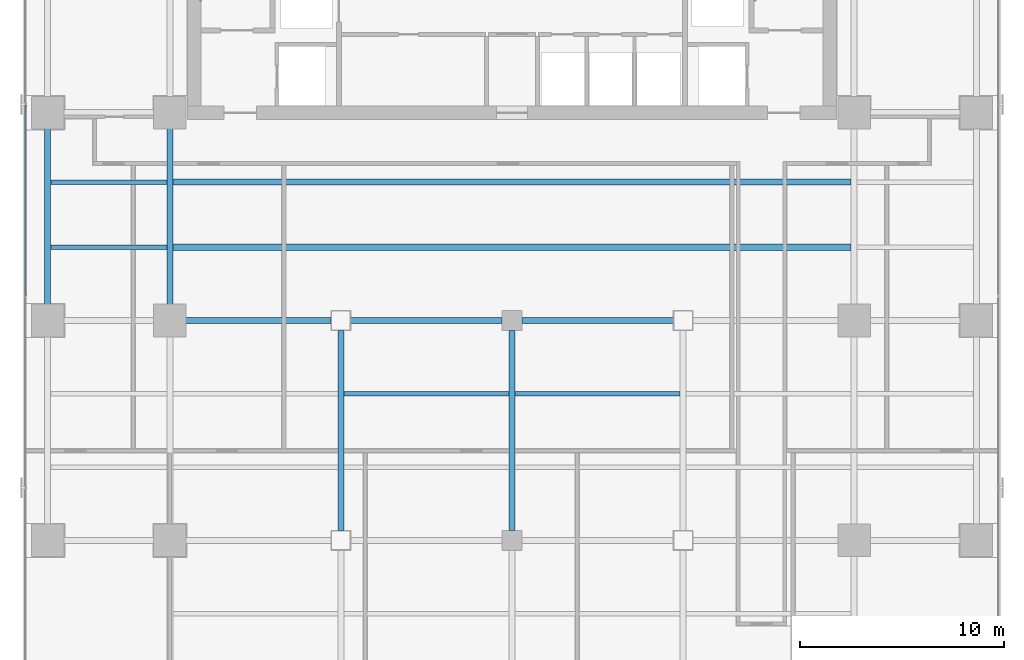
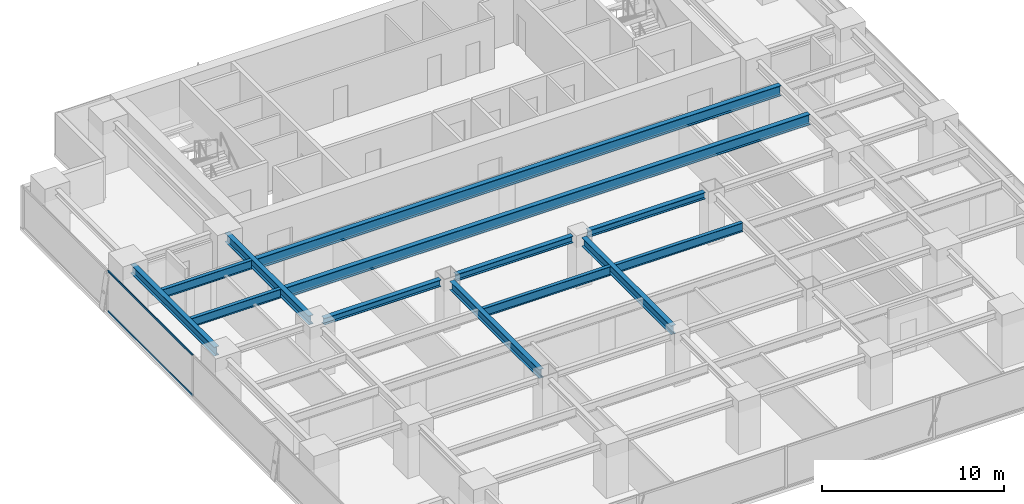
# One storey, part 8 of 28: 13 beams, 2 members, 1 element without a shape of its own.
"""IFC4 building model written with IfcOpenShell, lengths in metres."""

from ifc_helpers import new_model, si_unit, direction, frame, origin, origin_2d, place, context, subcontext, project, spatial, hollow_rectangle, i_section, extrude, source, transform, mapped, material, layer, layer_set, material_profile, profile_set, type_object, element, aggregate, save


model = new_model("IFC4")

# Units and contexts
model_context = context("Model", 3, precision=1e-05, world=origin(), true_north=direction((0.0, 1.0)))
body_context = subcontext(model_context, "Body", "Model", "MODEL_VIEW")
ifc_project = project(units=[si_unit("LENGTHUNIT", "METRE"), si_unit("AREAUNIT", "SQUARE_METRE"), si_unit("VOLUMEUNIT", "CUBIC_METRE"), si_unit("PLANEANGLEUNIT", "RADIAN"), si_unit("MASSUNIT", "GRAM", prefix="KILO")], contexts=[model_context])

# Site, building, storey
site_placement = place(None, origin())
site = spatial("IfcSite", under=ifc_project, at=site_placement, CompositionType="ELEMENT")
building_placement = place(site_placement, origin())
building = spatial("IfcBuilding", under=site, at=building_placement, Name="Sumidabori Civic Tower", CompositionType="ELEMENT")
storey_placement = place(building_placement, frame((0.0, 0.0, 174.800048828125)))
storey = spatial("IfcBuildingStorey", under=building, at=storey_placement, Name="L45", CompositionType="ELEMENT", Elevation=174.800048828125)

# Beams
ifc_material_1 = material(Name="Steel SN490", Category="steel")
ifc_material_profile_1 = material_profile(ifc_material_1, i_section(OverallWidth=0.300048828125, OverallDepth=0.60009765625, WebThickness=0.015380859375, FlangeThickness=0.030029296875, at=origin_2d()), Name="HE 600 B")
ifc_profile_set_1 = profile_set([ifc_material_profile_1], Name="Steel SN490")
beam_type_1 = type_object("IfcBeamType", Name="BM-GIRD-600", PredefinedType="BEAM", material=ifc_profile_set_1)
shared_shape_1 = source(origin(), body_context, "Body", "SweptSolid", [
    extrude(i_section(OverallWidth=0.300048828125, OverallDepth=0.60009765625, WebThickness=0.015380859375, FlangeThickness=0.030029296875, at=origin_2d()), origin(), (0.0, 0.0, 1.0), 9.840087890625),
])
for number, where, z_axis, x_axis, name in (
    (1, (-8.39990234375, -10.320068359375, 3.079833984375), (0.0, 1.0, 0.0), (-1.0, 0.0, 0.0), "Primary Girder L45 GY-27"),
    (2, (0.0, -10.320068359375, 3.079833984375), (0.0, 1.0, 0.0), (-1.0, 0.0, 0.0), "Primary Girder L45 GY-29"),
):
    element("IfcBeam", number, at=place(storey_placement, frame(where, z_axis=z_axis, x_axis=x_axis)), inside=storey, type_object=beam_type_1, Name=name, PredefinedType="BEAM", context=body_context, shape_type="MappedRepresentation", body=[
        mapped(shared_shape_1, transform((0.0, 0.0, 0.0), x_axis=(1.0, 0.0, 0.0), y_axis=(0.0, 1.0, 0.0), z_axis=(0.0, 0.0, 1.0), scale=1.0)),
    ])
shared_shape_2 = source(origin(), body_context, "Body", "SweptSolid", [
    extrude(i_section(OverallWidth=0.300048828125, OverallDepth=0.60009765625, WebThickness=0.015380859375, FlangeThickness=0.030029296875, at=origin_2d()), origin(), (0.0, 0.0, 1.0), 9.239990234375),
])
for number, where, z_axis, x_axis, name in (
    (3, (-22.800048828125, 0.47998046875, 3.079833984375), (0.0, 1.0, 0.0), (-1.0, 0.0, 0.0), "Primary Girder L45 GY-20"),
    (4, (-16.800048828125, 0.47998046875, 3.079833984375), (0.0, 1.0, 0.0), (-1.0, 0.0, 0.0), "Primary Girder L45 GY-24"),
):
    element("IfcBeam", number, at=place(storey_placement, frame(where, z_axis=z_axis, x_axis=x_axis)), inside=storey, type_object=beam_type_1, Name=name, PredefinedType="BEAM", context=body_context, shape_type="MappedRepresentation", body=[
        mapped(shared_shape_2, transform((0.0, 0.0, 0.0), x_axis=(1.0, 0.0, 0.0), y_axis=(0.0, 1.0, 0.0), z_axis=(0.0, 0.0, 1.0), scale=1.0)),
    ])
ifc_material_profile_2 = material_profile(ifc_material_1, i_section(OverallWidth=0.300048828125, OverallDepth=0.699951171875, WebThickness=0.01708984375, FlangeThickness=0.031982421875, at=origin_2d()), Name="HE 700 B")
ifc_profile_set_2 = profile_set([ifc_material_profile_2], Name="Steel SN490")
beam_type_2 = type_object("IfcBeamType", Name="BM-GIRD-700", PredefinedType="BEAM", material=ifc_profile_set_2)
shared_shape_3 = source(origin(), body_context, "Body", "SweptSolid", [
    extrude(i_section(OverallWidth=0.300048828125, OverallDepth=0.699951171875, WebThickness=0.01708984375, FlangeThickness=0.031982421875, at=origin_2d()), origin(), (0.0, 0.0, 1.0), 33.2998046875),
])
for number, where, z_axis, x_axis, name in (
    (5, (-16.64990234375, 3.60009765625, 3.030029296875), (1.0, 0.0, 0.0), (0.0, 1.0, 0.0), "North Bay Floor Beam L45 JSTN-47"),
    (6, (-16.64990234375, 6.800048828125, 3.030029296875), (1.0, 0.0, 0.0), (0.0, 1.0, 0.0), "North Bay Floor Beam L45 JSTN-48"),
):
    element("IfcBeam", number, at=place(storey_placement, frame(where, z_axis=z_axis, x_axis=x_axis)), inside=storey, type_object=beam_type_2, Name=name, PredefinedType="BEAM", context=body_context, shape_type="MappedRepresentation", body=[
        mapped(shared_shape_3, transform((0.0, 0.0, 0.0), x_axis=(1.0, 0.0, 0.0), y_axis=(0.0, 1.0, 0.0), z_axis=(0.0, 0.0, 1.0), scale=1.0)),
    ])
ifc_material_profile_3 = material_profile(ifc_material_1, i_section(OverallWidth=0.219970703125, OverallDepth=0.60009765625, WebThickness=0.011962890625, FlangeThickness=0.01904296875, at=origin_2d()), Name="IPE 600")
ifc_profile_set_3 = profile_set([ifc_material_profile_3], Name="Steel SN490")
beam_type_3 = type_object("IfcBeamType", Name="BM-JST-600", PredefinedType="JOIST", material=ifc_profile_set_3)
shared_shape_4 = source(origin(), body_context, "Body", "SweptSolid", [
    extrude(i_section(OverallWidth=0.219970703125, OverallDepth=0.60009765625, WebThickness=0.011962890625, FlangeThickness=0.01904296875, at=origin_2d()), origin(), (0.0, 0.0, 1.0), 5.699951171875),
])
for number, where, z_axis, x_axis, name in (
    (7, (-22.64990234375, 3.60009765625, 3.079833984375), (1.0, 0.0, 0.0), (0.0, 1.0, 0.0), "Outer Bay Floor Joist L45 JSTO-43"),
    (8, (-22.64990234375, 6.800048828125, 3.079833984375), (1.0, 0.0, 0.0), (0.0, 1.0, 0.0), "Outer Bay Floor Joist L45 JSTO-45"),
):
    element("IfcBeam", number, at=place(storey_placement, frame(where, z_axis=z_axis, x_axis=x_axis)), inside=storey, type_object=beam_type_3, Name=name, PredefinedType="JOIST", context=body_context, shape_type="MappedRepresentation", body=[
        mapped(shared_shape_4, transform((0.0, 0.0, 0.0), x_axis=(1.0, 0.0, 0.0), y_axis=(0.0, 1.0, 0.0), z_axis=(0.0, 0.0, 1.0), scale=1.0)),
    ])
shared_shape_5 = source(origin(), body_context, "Body", "SweptSolid", [
    extrude(i_section(OverallWidth=0.219970703125, OverallDepth=0.60009765625, WebThickness=0.011962890625, FlangeThickness=0.01904296875, at=origin_2d()), origin(), (0.0, 0.0, 1.0), 8.10009765625),
])
for number, where, z_axis, x_axis, name in (
    (9, (-8.25, -3.60009765625, 3.079833984375), (1.0, 0.0, 0.0), (0.0, 1.0, 0.0), "South Bay Floor Joist L45 JSTS-58"),
    (10, (0.14990234375, -3.60009765625, 3.079833984375), (1.0, 0.0, 0.0), (0.0, 1.0, 0.0), "South Bay Floor Joist L45 JSTS-59"),
):
    element("IfcBeam", number, at=place(storey_placement, frame(where, z_axis=z_axis, x_axis=x_axis)), inside=storey, type_object=beam_type_3, Name=name, PredefinedType="JOIST", context=body_context, shape_type="MappedRepresentation", body=[
        mapped(shared_shape_5, transform((0.0, 0.0, 0.0), x_axis=(1.0, 0.0, 0.0), y_axis=(0.0, 1.0, 0.0), z_axis=(0.0, 0.0, 1.0), scale=1.0)),
    ])
ifc_material_profile_4 = material_profile(ifc_material_1, i_section(OverallWidth=0.300048828125, OverallDepth=0.449951171875, WebThickness=0.013916015625, FlangeThickness=0.02587890625, at=origin_2d()), Name="HE 450 B")
ifc_profile_set_4 = profile_set([ifc_material_profile_4], Name="Steel SN490")
beam_type_4 = type_object("IfcBeamType", Name="BM-GIRD-450", PredefinedType="BEAM", material=ifc_profile_set_4)
shared_shape_6 = source(origin(), body_context, "Body", "SweptSolid", [
    extrude(i_section(OverallWidth=0.300048828125, OverallDepth=0.449951171875, WebThickness=0.013916015625, FlangeThickness=0.02587890625, at=origin_2d()), origin(), (0.0, 0.0, 1.0), 7.440185546875),
])
beam_placement = place(storey_placement, frame((-16.320068359375, 0.0, 3.155029296875), z_axis=(1.0, 0.0, 0.0), x_axis=(0.0, 1.0, 0.0)))
element("IfcBeam", 11, at=beam_placement, inside=storey, type_object=beam_type_4, Name="Primary Girder L45 GX-12", PredefinedType="BEAM", context=body_context, shape_type="MappedRepresentation", body=[
    mapped(shared_shape_6, transform((0.0, 0.0, 0.0), x_axis=(1.0, 0.0, 0.0), y_axis=(0.0, 1.0, 0.0), z_axis=(0.0, 0.0, 1.0), scale=1.0)),
])
shared_shape_7 = source(origin(), body_context, "Body", "SweptSolid", [
    extrude(i_section(OverallWidth=0.300048828125, OverallDepth=0.449951171875, WebThickness=0.013916015625, FlangeThickness=0.02587890625, at=origin_2d()), origin(), (0.0, 0.0, 1.0), 7.43994140625),
])
for number, where, z_axis, x_axis, name in (
    (12, (-7.919921875, 0.0, 3.155029296875), (1.0, 0.0, 0.0), (0.0, 1.0, 0.0), "Primary Girder L45 GX-13"),
    (13, (0.47998046875, 0.0, 3.155029296875), (1.0, 0.0, 0.0), (0.0, 1.0, 0.0), "Primary Girder L45 GX-14"),
):
    element("IfcBeam", number, at=place(storey_placement, frame(where, z_axis=z_axis, x_axis=x_axis)), inside=storey, type_object=beam_type_4, Name=name, PredefinedType="BEAM", context=body_context, shape_type="MappedRepresentation", body=[
        mapped(shared_shape_7, transform((0.0, 0.0, 0.0), x_axis=(1.0, 0.0, 0.0), y_axis=(0.0, 1.0, 0.0), z_axis=(0.0, 0.0, 1.0), scale=1.0)),
    ])

# Curtain wall, members
ifc_material_2 = material(Name="Anodised Bronze Aluminium AW-6063-T6", Category="aluminium")
ifc_layer = layer(ifc_material_2, 0.179931640625, Name="Anodised Bronze Aluminium AW-6063-T6")
ifc_layer_set = layer_set([ifc_layer], Name="Anodised Bronze Aluminium AW-6063-T6")
curtain_wall_type = type_object("IfcCurtainWallType", Name="CW-SYS-3", PredefinedType="NOTDEFINED", material=ifc_layer_set)
curtain_wall_placement = place(storey_placement, origin())
curtain_wall = element("IfcCurtainWall", 14, at=curtain_wall_placement, inside=storey, type_object=curtain_wall_type, Name="Curtain Wall CW:L45:R10", PredefinedType="NOTDEFINED")
ifc_material_profile_5 = material_profile(ifc_material_2, hollow_rectangle(XDim=0.06005859375, YDim=0.1298828125, WallThickness=0.0048828125, at=origin_2d()), Name="ALU TRANSOM 130x60")
ifc_profile_set_5 = profile_set([ifc_material_profile_5], Name="Anodised Bronze Aluminium AW-6063-T6")
member_type = type_object("IfcMemberType", Name="CW-TRN-130", PredefinedType="USERDEFINED", material=ifc_profile_set_5)
shared_shape_8 = source(origin(), body_context, "Body", "SweptSolid", [
    extrude(hollow_rectangle(XDim=0.06005859375, YDim=0.1298828125, WallThickness=0.0048828125, at=origin_2d()), origin(), (0.0, 0.0, 1.0), 9.344970703125),
])
member_1_placement = place(storey_placement, frame((-23.8798828125, 10.577392578125, 0.030029296875), z_axis=(0.0, -1.0, 0.0), x_axis=(1.0, 0.0, 0.0)))
member_1 = element("IfcMember", 15, at=member_1_placement, type_object=member_type, Name="CW-3 transom 2.1", ObjectType="TRANSOM", PredefinedType="USERDEFINED", context=body_context, shape_type="MappedRepresentation", body=[
    mapped(shared_shape_8, transform((0.0, 0.0, 0.0), x_axis=(1.0, 0.0, 0.0), y_axis=(0.0, 1.0, 0.0), z_axis=(0.0, 0.0, 1.0), scale=1.0)),
])
member_2_placement = place(storey_placement, frame((-23.8798828125, 10.577392578125, 2.72998046875), z_axis=(0.0, -1.0, 0.0), x_axis=(1.0, 0.0, 0.0)))
member_2 = element("IfcMember", 16, at=member_2_placement, type_object=member_type, Name="CW-3 transom 2.2", ObjectType="TRANSOM", PredefinedType="USERDEFINED", context=body_context, shape_type="MappedRepresentation", body=[
    mapped(shared_shape_8, transform((0.0, 0.0, 0.0), x_axis=(1.0, 0.0, 0.0), y_axis=(0.0, 1.0, 0.0), z_axis=(0.0, 0.0, 1.0), scale=1.0)),
])
aggregate(curtain_wall, [member_1, member_2])

save(model, "model.ifc")
